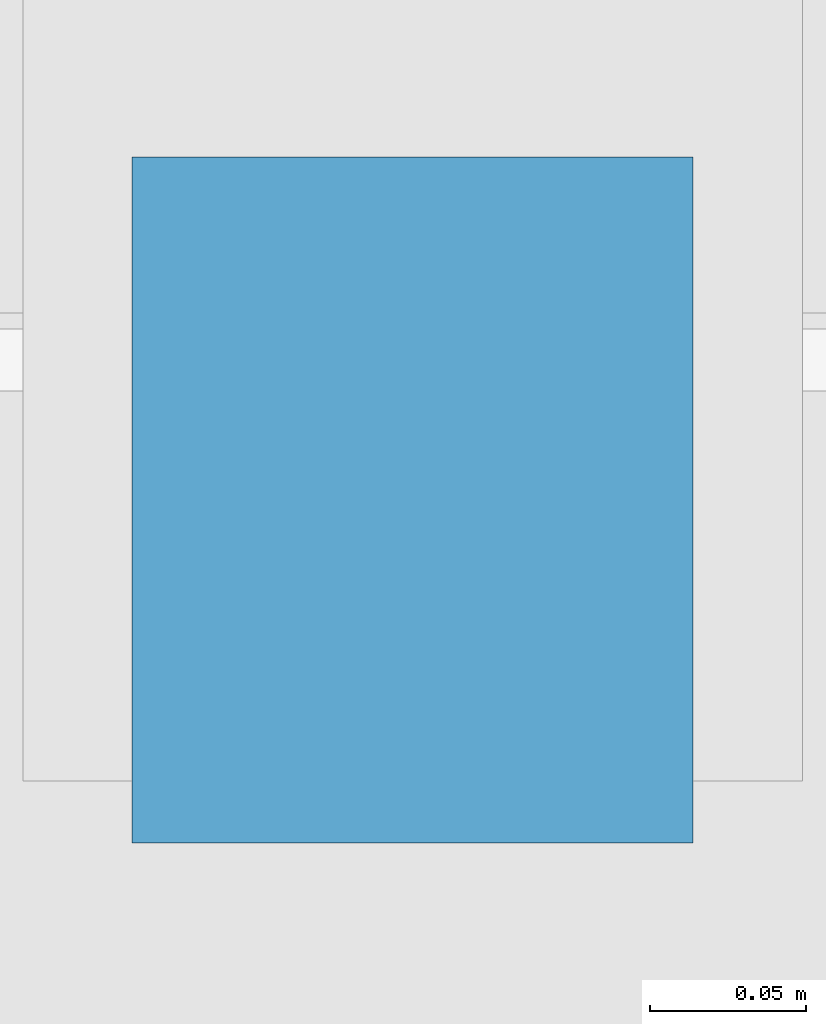
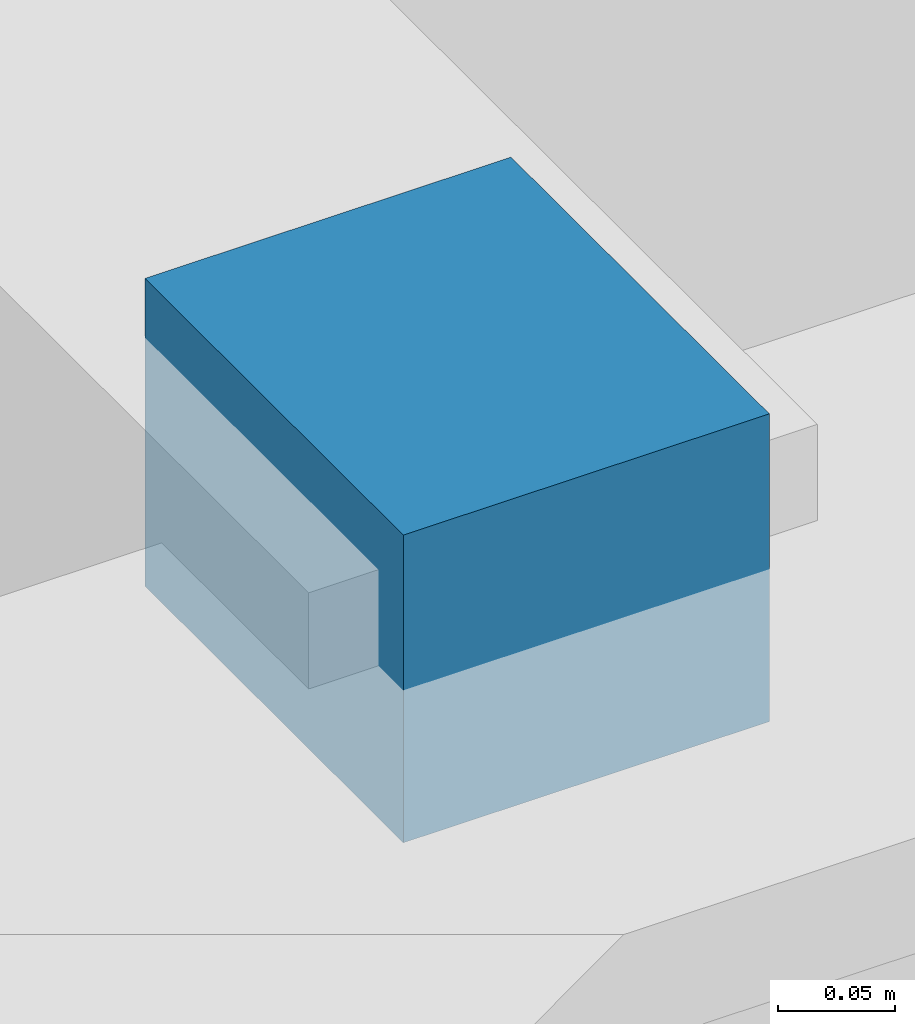
# One storey, part 57 of 73: 1 discrete accessory.
"""IFC4 building model written with IfcOpenShell, lengths in metres."""

from ifc_helpers import new_model, si_unit, direction, frame, origin, origin_2d, place, context, subcontext, project, spatial, rectangle, extrude, material, type_object, element, save


model = new_model("IFC4")

# Units and contexts
model_context = context("Model", 3, precision=1e-05, world=origin(), true_north=direction((0.0, 1.0)))
body_context = subcontext(model_context, "Body", "Model", "MODEL_VIEW")
ifc_project = project(units=[si_unit("LENGTHUNIT", "METRE"), si_unit("AREAUNIT", "SQUARE_METRE"), si_unit("VOLUMEUNIT", "CUBIC_METRE"), si_unit("PLANEANGLEUNIT", "RADIAN"), si_unit("MASSUNIT", "GRAM", prefix="KILO")], contexts=[model_context])

# Site, building, storey
site_placement = place(None, origin())
site = spatial("IfcSite", under=ifc_project, at=site_placement, CompositionType="ELEMENT")
building_placement = place(site_placement, origin())
building = spatial("IfcBuilding", under=site, at=building_placement, Name="Suanplinth Sawtooth Commons", CompositionType="ELEMENT")
storey_placement = place(building_placement, frame((0.0, 0.0, 21.89990234375)))
storey = spatial("IfcBuildingStorey", under=building, at=storey_placement, Name="L06", CompositionType="ELEMENT", Elevation=21.89990234375)

# Discrete accessory
ifc_material = material(Name="Stainless steel Grade 316", Category="steel")
discrete_accessory_type = type_object("IfcDiscreteAccessoryType", Name="ACC-01", PredefinedType="BRACKET", material=ifc_material)
discrete_accessory_placement = place(storey_placement, frame((158.39990234375, -1.699951171875, 2.89990234375), z_axis=(0.0, 0.0, 1.0), x_axis=(1.0, 0.0, 0.0)))
element("IfcDiscreteAccessory", 1, at=discrete_accessory_placement, inside=storey, type_object=discrete_accessory_type, Name="Louvre Fixing Bracket L06-C-1", PredefinedType="BRACKET", context=body_context, shape_type="SweptSolid", body=[
    extrude(rectangle(XDim=0.179931640625, YDim=0.219970703125, at=origin_2d()), origin(), (0.0, 0.0, 1.0), 0.159912109375),
])

save(model, "model.ifc")
